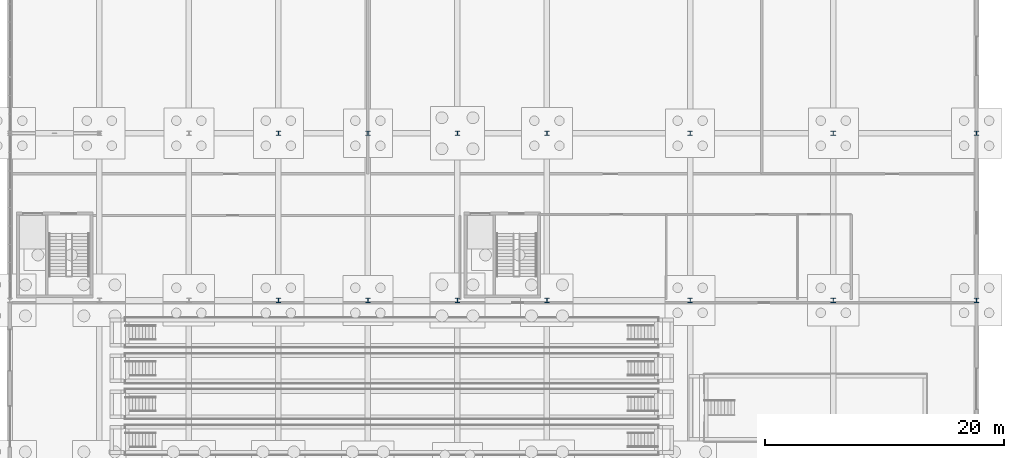
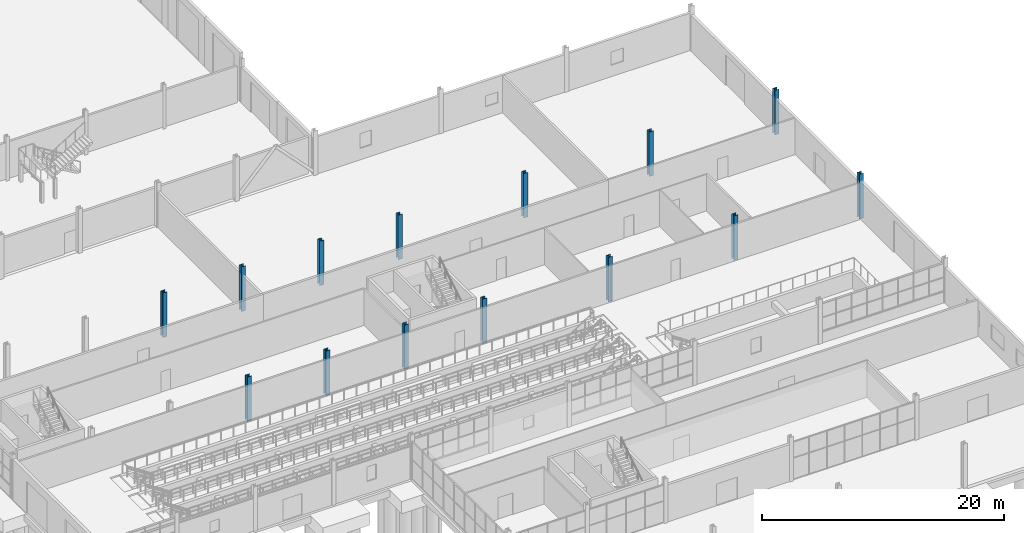
# One storey, part 23 of 136: 14 columns.
"""IFC4 building model written with IfcOpenShell, lengths in metres."""

from ifc_helpers import new_model, si_unit, direction, frame, origin, origin_2d, place, context, subcontext, project, spatial, i_section, extrude, material, material_profile, profile_set, type_object, element, save


model = new_model("IFC4")

# Units and contexts
model_context = context("Model", 3, precision=1e-05, world=origin(), true_north=direction((0.0, 1.0)))
body_context = subcontext(model_context, "Body", "Model", "MODEL_VIEW")
ifc_project = project(units=[si_unit("LENGTHUNIT", "METRE"), si_unit("AREAUNIT", "SQUARE_METRE"), si_unit("VOLUMEUNIT", "CUBIC_METRE"), si_unit("PLANEANGLEUNIT", "RADIAN"), si_unit("MASSUNIT", "GRAM", prefix="KILO")], contexts=[model_context])

# Site, building, storey
site_placement = place(None, origin())
site = spatial("IfcSite", under=ifc_project, at=site_placement, CompositionType="ELEMENT")
building_placement = place(site_placement, origin())
building = spatial("IfcBuilding", under=site, at=building_placement, Name="Solvenia Promenade Tram Depot", CompositionType="ELEMENT")
storey_placement = place(building_placement, origin())
storey = spatial("IfcBuildingStorey", under=building, at=storey_placement, Name="L00", CompositionType="ELEMENT", Elevation=0.0)

# Columns
ifc_material = material(Name="Structural steel ASTM A992 Gr. 50", Category="steel")
ifc_material_profile = material_profile(ifc_material, i_section(OverallWidth=0.39404296875, OverallDepth=0.375, WebThickness=0.0205078125, FlangeThickness=0.033203125, FilletRadius=0.01806640625, at=origin_2d()), Name="W360x216", Category="steel")
ifc_profile_set = profile_set([ifc_material_profile], Name="Structural steel ASTM A992 Gr. 50")
column_type = type_object("IfcColumnType", Name="Col-W360x216", PredefinedType="COLUMN", material=ifc_profile_set)
for number, where, z_axis, x_axis, name in (
    (1, (127.5, 38.0, 0.0), (0.0, 0.0, 1.0), (1.0, 0.0, 0.0), "Steel Column COL-L00-247"),
    (2, (127.5, 52.0, 0.0), (0.0, 0.0, 1.0), (1.0, 0.0, 0.0), "Steel Column COL-L00-251"),
    (3, (135.0, 38.0, 0.0), (0.0, 0.0, 1.0), (1.0, 0.0, 0.0), "Steel Column COL-L00-267"),
    (4, (135.0, 52.0, 0.0), (0.0, 0.0, 1.0), (1.0, 0.0, 0.0), "Steel Column COL-L00-271"),
    (5, (142.5, 38.0, 0.0), (0.0, 0.0, 1.0), (1.0, 0.0, 0.0), "Steel Column COL-L00-288"),
    (6, (142.5, 52.0, 0.0), (0.0, 0.0, 1.0), (1.0, 0.0, 0.0), "Steel Column COL-L00-292"),
    (7, (150.0, 38.0, 0.0), (0.0, 0.0, 1.0), (1.0, 0.0, 0.0), "Steel Column COL-L00-309"),
    (8, (150.0, 52.0, 0.0), (0.0, 0.0, 1.0), (1.0, 0.0, 0.0), "Steel Column COL-L00-313"),
    (9, (162.0, 38.0, 0.0), (0.0, 0.0, 1.0), (1.0, 0.0, 0.0), "Steel Column COL-L00-330"),
    (10, (162.0, 52.0, 0.0), (0.0, 0.0, 1.0), (1.0, 0.0, 0.0), "Steel Column COL-L00-334"),
    (11, (174.0, 38.0, 0.0), (0.0, 0.0, 1.0), (1.0, 0.0, 0.0), "Steel Column COL-L00-348"),
    (12, (174.0, 52.0, 0.0), (0.0, 0.0, 1.0), (1.0, 0.0, 0.0), "Steel Column COL-L00-351"),
    (13, (186.0, 38.0, 0.0), (0.0, 0.0, 1.0), (1.0, 0.0, 0.0), "Steel Column COL-L00-363"),
    (14, (186.0, 52.0, 0.0), (0.0, 0.0, 1.0), (1.0, 0.0, 0.0), "Steel Column COL-L00-366"),
):
    element("IfcColumn", number, at=place(storey_placement, frame(where, z_axis=z_axis, x_axis=x_axis)), inside=storey, type_object=column_type, Name=name, PredefinedType="COLUMN", context=body_context, shape_type="SweptSolid", body=[
        extrude(i_section(OverallWidth=0.39404296875, OverallDepth=0.375, WebThickness=0.0205078125, FlangeThickness=0.033203125, FilletRadius=0.01806640625, at=origin_2d()), origin(), (0.0, 0.0, 1.0), 4.5),
    ])

save(model, "model.ifc")
